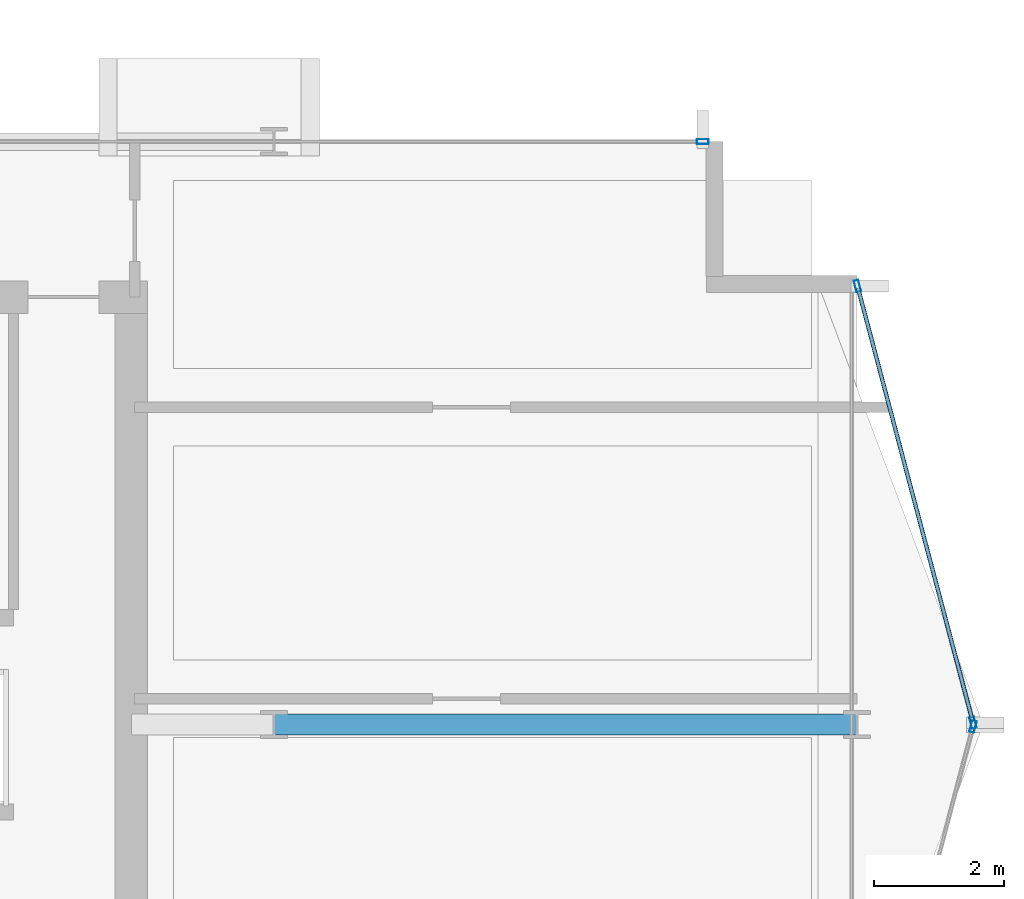
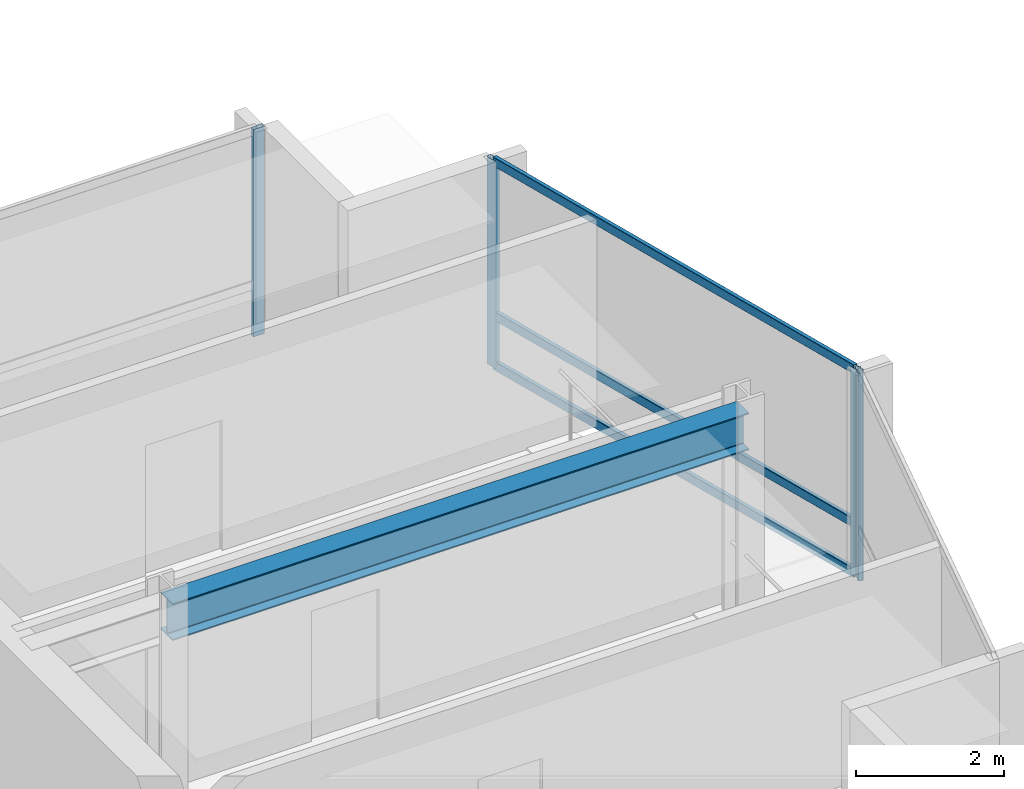
# One storey, part 14 of 29: 7 members, 1 beam, 3 elements without a shape of their own.
"""IFC4 building model written with IfcOpenShell, lengths in metres."""

from ifc_helpers import new_model, si_unit, direction, frame, origin, origin_2d, place, context, subcontext, project, spatial, hollow_rectangle, i_section, extrude, material, layer, layer_set, material_profile, profile_set, type_object, element, aggregate, save


model = new_model("IFC4")

# Units and contexts
model_context = context("Model", 3, precision=1e-05, world=origin(), true_north=direction((0.0, 1.0)))
body_context = subcontext(model_context, "Body", "Model", "MODEL_VIEW")
ifc_project = project(units=[si_unit("LENGTHUNIT", "METRE"), si_unit("AREAUNIT", "SQUARE_METRE"), si_unit("VOLUMEUNIT", "CUBIC_METRE"), si_unit("PLANEANGLEUNIT", "RADIAN"), si_unit("MASSUNIT", "GRAM", prefix="KILO")], contexts=[model_context])

# Site, building, storey
site_placement = place(None, origin())
site = spatial("IfcSite", under=ifc_project, at=site_placement, CompositionType="ELEMENT")
building_placement = place(site_placement, origin())
building = spatial("IfcBuilding", under=site, at=building_placement, Name="Solvaryn Broadcast Tower", CompositionType="ELEMENT")
storey_placement = place(building_placement, frame((0.0, 0.0, 139.60009765625)))
storey = spatial("IfcBuildingStorey", under=building, at=storey_placement, Name="L34", CompositionType="ELEMENT", Elevation=139.60009765625)

# Beam
ifc_material_1 = material(Name="Steel ASTM A992 Grade 50", Category="steel")
ifc_material_profile_1 = material_profile(ifc_material_1, i_section(OverallWidth=0.323974609375, OverallDepth=0.611083984375, WebThickness=0.0126953125, FlangeThickness=0.01904296875, FilletRadius=0.014892578125, at=origin_2d()))
ifc_profile_set_1 = profile_set([ifc_material_profile_1], Name="Steel ASTM A992 Grade 50")
beam_type = type_object("IfcBeamType", Name="BM-B1-W24X104", PredefinedType="BEAM", material=ifc_profile_set_1)
beam_placement = place(storey_placement, frame((45.0, 18.0, 3.114501953125), z_axis=(1.0, 0.0, 0.0), x_axis=(0.0, 1.0, 0.0)))
element("IfcBeam", 1, at=beam_placement, inside=storey, type_object=beam_type, Name="L34 Primary Beam X (45-54 @ Y=18)", PredefinedType="BEAM", context=body_context, shape_type="SweptSolid", body=[
    extrude(i_section(OverallWidth=0.323974609375, OverallDepth=0.611083984375, WebThickness=0.0126953125, FlangeThickness=0.01904296875, FilletRadius=0.014892578125, at=origin_2d()), origin(), (0.0, 0.0, 1.0), 9.0),
])

# Curtain wall, members
ifc_material_2 = material(Name="Aluminium and Terracotta Unitised Curtain Wall", Category="masonry")
ifc_layer = layer(ifc_material_2, 0.199951171875)
ifc_layer_set = layer_set([ifc_layer], Name="CW-SYS2-LOWMID")
curtain_wall_type = type_object("IfcCurtainWallType", Name="CW-SYS2-LOWMID", PredefinedType="NOTDEFINED", material=ifc_layer_set)
curtain_wall_1_placement = place(storey_placement, origin())
curtain_wall_1 = element("IfcCurtainWall", 2, at=curtain_wall_1_placement, inside=storey, type_object=curtain_wall_type, Name="L34 Curtain Wall ET1", PredefinedType="NOTDEFINED")
ifc_material_3 = material(Name="Anodised Aluminium 6063-T6", Category="aluminium")
ifc_material_profile_2 = material_profile(ifc_material_3, hollow_rectangle(XDim=0.074951171875, YDim=0.179931640625, WallThickness=0.00390625, InnerFilletRadius=0.00390625, OuterFilletRadius=0.008056640625, at=origin_2d()))
ifc_profile_set_2 = profile_set([ifc_material_profile_2], Name="Anodised Aluminium 6063-T6")
member_type_1 = type_object("IfcMemberType", Name="CW-MUL-180", PredefinedType="MULLION", material=ifc_profile_set_2)
member_1_placement = place(storey_placement, frame((54.007568359375, 24.77099609375, 0.0), z_axis=(0.0, 0.0, 1.0), x_axis=(0.966705227863, 0.25589256031, 0.0)))
member_1 = element("IfcMember", 3, at=member_1_placement, type_object=member_type_1, Name="CWS2 mullion 1", PredefinedType="MULLION", context=body_context, shape_type="SweptSolid", body=[
    extrude(hollow_rectangle(XDim=0.074951171875, YDim=0.179931640625, WallThickness=0.00390625, InnerFilletRadius=0.00390625, OuterFilletRadius=0.008056640625, at=origin_2d()), origin(), (0.0, 0.0, 1.0), 3.419921875),
])
member_2_placement = place(storey_placement, frame((55.792236328125, 18.029052734375, 0.0), z_axis=(0.0, 0.0, 1.0), x_axis=(0.966705227863, 0.25589256031, 0.0)))
member_2 = element("IfcMember", 4, at=member_2_placement, type_object=member_type_1, Name="CWS2 mullion 2", PredefinedType="MULLION", context=body_context, shape_type="SweptSolid", body=[
    extrude(hollow_rectangle(XDim=0.074951171875, YDim=0.179931640625, WallThickness=0.00390625, InnerFilletRadius=0.00390625, OuterFilletRadius=0.008056640625, at=origin_2d()), origin(), (0.0, 0.0, 1.0), 3.419921875),
])

# Curtain wall, member
curtain_wall_2_placement = place(storey_placement, origin())
curtain_wall_2 = element("IfcCurtainWall", 5, at=curtain_wall_2_placement, inside=storey, type_object=curtain_wall_type, Name="L34 Curtain Wall ET2", PredefinedType="NOTDEFINED")
member_3_placement = place(storey_placement, frame((55.792236328125, 17.970947265625, 0.0), z_axis=(0.0, 0.0, 1.0), x_axis=(0.966705227863, -0.25589256031, 0.0)))
member_3 = element("IfcMember", 6, at=member_3_placement, type_object=member_type_1, Name="CWS2 mullion 1", PredefinedType="MULLION", context=body_context, shape_type="SweptSolid", body=[
    extrude(hollow_rectangle(XDim=0.074951171875, YDim=0.179931640625, WallThickness=0.00390625, InnerFilletRadius=0.00390625, OuterFilletRadius=0.008056640625, at=origin_2d()), origin(), (0.0, 0.0, 1.0), 3.419921875),
])
aggregate(curtain_wall_2, [member_3])

curtain_wall_3_placement = place(storey_placement, origin())
curtain_wall_3 = element("IfcCurtainWall", 7, at=curtain_wall_3_placement, inside=storey, type_object=curtain_wall_type, Name="L34 Curtain Wall IH", PredefinedType="NOTDEFINED")
member_4_placement = place(storey_placement, frame((51.6201171875, 27.0, 0.0), z_axis=(0.0, 0.0, 1.0), x_axis=(0.0, 1.0, 0.0)))
member_4 = element("IfcMember", 8, at=member_4_placement, type_object=member_type_1, Name="CWS2 mullion 2", PredefinedType="MULLION", context=body_context, shape_type="SweptSolid", body=[
    extrude(hollow_rectangle(XDim=0.074951171875, YDim=0.179931640625, WallThickness=0.00390625, InnerFilletRadius=0.00390625, OuterFilletRadius=0.008056640625, at=origin_2d()), origin(), (0.0, 0.0, 1.0), 3.419921875),
])
aggregate(curtain_wall_3, [member_4])

# Member
ifc_material_4 = material(Name="Anodised Aluminium 6063-T6", Category="aluminium")
ifc_material_profile_3 = material_profile(ifc_material_4, hollow_rectangle(XDim=0.06494140625, YDim=0.14990234375, WallThickness=0.00390625, InnerFilletRadius=0.00390625, OuterFilletRadius=0.008056640625, at=origin_2d()))
ifc_profile_set_3 = profile_set([ifc_material_profile_3], Name="Anodised Aluminium 6063-T6")
member_type_2 = type_object("IfcMemberType", Name="CW-TRN-150", PredefinedType="USERDEFINED", material=ifc_profile_set_3)
member_5_placement = place(storey_placement, frame((54.015380859375, 24.741943359375, 0.02978515625), z_axis=(0.255897413051, -0.966703943301, 0.0), x_axis=(0.966703943301, 0.255897413051, 0.0)))
member_5 = element("IfcMember", 9, at=member_5_placement, type_object=member_type_2, Name="CWS2 transom 1.1", ObjectType="TRANSOM", PredefinedType="USERDEFINED", context=body_context, shape_type="SweptSolid", body=[
    extrude(hollow_rectangle(XDim=0.06494140625, YDim=0.14990234375, WallThickness=0.00390625, InnerFilletRadius=0.00390625, OuterFilletRadius=0.008056640625, at=origin_2d()), origin(), (0.0, 0.0, 1.0), 6.9140625),
])

member_6_placement = place(storey_placement, frame((54.015380859375, 24.741943359375, 0.849853515625), z_axis=(0.255897413051, -0.966703943301, 0.0), x_axis=(0.966703943301, 0.255897413051, 0.0)))
member_6 = element("IfcMember", 10, at=member_6_placement, type_object=member_type_2, Name="CWS2 transom 1.2", ObjectType="TRANSOM", PredefinedType="USERDEFINED", context=body_context, shape_type="SweptSolid", body=[
    extrude(hollow_rectangle(XDim=0.06494140625, YDim=0.14990234375, WallThickness=0.00390625, InnerFilletRadius=0.00390625, OuterFilletRadius=0.008056640625, at=origin_2d()), origin(), (0.0, 0.0, 1.0), 6.9140625),
])

member_7_placement = place(storey_placement, frame((54.015380859375, 24.741943359375, 3.389892578125), z_axis=(0.255897413051, -0.966703943301, 0.0), x_axis=(0.966703943301, 0.255897413051, 0.0)))
member_7 = element("IfcMember", 11, at=member_7_placement, type_object=member_type_2, Name="CWS2 transom 1.3", ObjectType="TRANSOM", PredefinedType="USERDEFINED", context=body_context, shape_type="SweptSolid", body=[
    extrude(hollow_rectangle(XDim=0.06494140625, YDim=0.14990234375, WallThickness=0.00390625, InnerFilletRadius=0.00390625, OuterFilletRadius=0.008056640625, at=origin_2d()), origin(), (0.0, 0.0, 1.0), 6.9140625),
])

aggregate(curtain_wall_1, [member_1, member_2, member_5, member_6, member_7])

save(model, "model.ifc")
